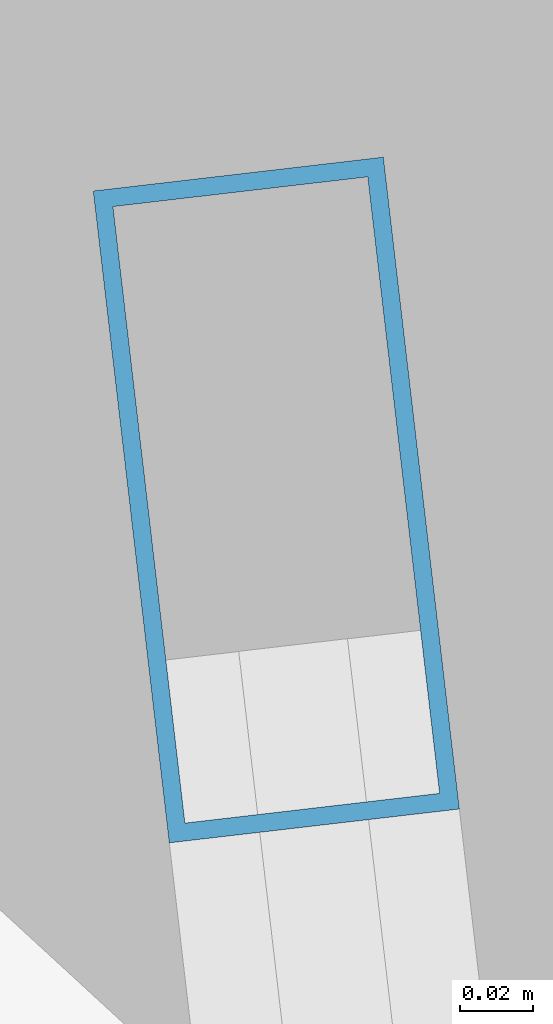
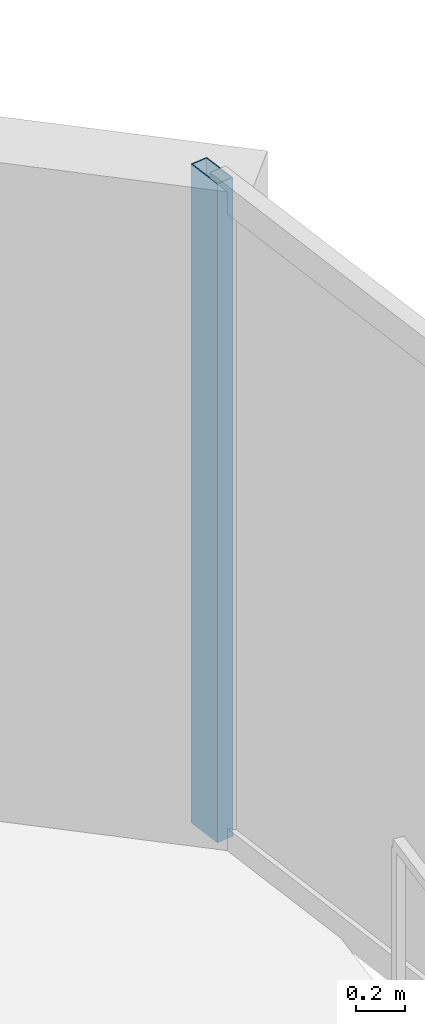
# One storey, part 22 of 31: 1 member, 1 element without a shape of its own.
"""IFC4 building model written with IfcOpenShell, lengths in metres."""

from ifc_helpers import new_model, si_unit, direction, frame, origin, origin_2d, place, context, subcontext, project, spatial, hollow_rectangle, extrude, material, layer, layer_set, material_profile, profile_set, type_object, element, aggregate, save


model = new_model("IFC4")

# Units and contexts
model_context = context("Model", 3, precision=1e-05, world=origin(), true_north=direction((0.0, 1.0)))
body_context = subcontext(model_context, "Body", "Model", "MODEL_VIEW")
ifc_project = project(units=[si_unit("LENGTHUNIT", "METRE"), si_unit("AREAUNIT", "SQUARE_METRE"), si_unit("VOLUMEUNIT", "CUBIC_METRE"), si_unit("PLANEANGLEUNIT", "RADIAN"), si_unit("MASSUNIT", "GRAM", prefix="KILO")], contexts=[model_context])

# Site, building, storey
site_placement = place(None, origin())
site = spatial("IfcSite", under=ifc_project, at=site_placement, CompositionType="ELEMENT")
building_placement = place(site_placement, origin())
building = spatial("IfcBuilding", under=site, at=building_placement, Name="Kazevale Care Tower and Concert Hall", CompositionType="ELEMENT")
storey_placement = place(building_placement, frame((0.0, 0.0, 187.199951171875)))
storey = spatial("IfcBuildingStorey", under=building, at=storey_placement, Name="L49", CompositionType="ELEMENT", Elevation=187.199951171875)

# Curtain wall, member
ifc_material_1 = material(Name="Aluminium 6063-T6 and Low-E Glass", Category="aluminium")
ifc_layer = layer(ifc_material_1, 0.179931640625)
ifc_layer_set = layer_set([ifc_layer], Name="Aluminium 6063-T6 and Low-E Glass")
curtain_wall_type = type_object("IfcCurtainWallType", Name="Waist & Upper Residential Curtain Wall CW-4", PredefinedType="NOTDEFINED", material=ifc_layer_set)
curtain_wall_placement = place(storey_placement, origin())
curtain_wall = element("IfcCurtainWall", 1, at=curtain_wall_placement, inside=storey, type_object=curtain_wall_type, Name="cw:L49:f18", PredefinedType="NOTDEFINED")
ifc_material_2 = material(Name="Aluminium 6063-T6", Category="aluminium")
ifc_material_profile = material_profile(ifc_material_2, hollow_rectangle(XDim=0.080078125, YDim=0.179931640625, WallThickness=0.0048828125, at=origin_2d()), Name="ALU80x180x5")
ifc_profile_set = profile_set([ifc_material_profile], Name="Aluminium 6063-T6")
member_type = type_object("IfcMemberType", Name="CW-4 Mullion ALU80x180x5", PredefinedType="MULLION", material=ifc_profile_set)
member_placement = place(storey_placement, frame((75.2255859375, 49.955322265625, 0.0), z_axis=(0.0, 0.0, 1.0), x_axis=(0.993267109779, 0.115846659989, 0.0)))
member = element("IfcMember", 2, at=member_placement, type_object=member_type, Name="CW-4 mullion 1", PredefinedType="MULLION", context=body_context, shape_type="SweptSolid", body=[
    extrude(hollow_rectangle(XDim=0.080078125, YDim=0.179931640625, WallThickness=0.0048828125, at=origin_2d()), origin(), (0.0, 0.0, 1.0), 3.280029296875),
])
aggregate(curtain_wall, [member])

save(model, "model.ifc")
